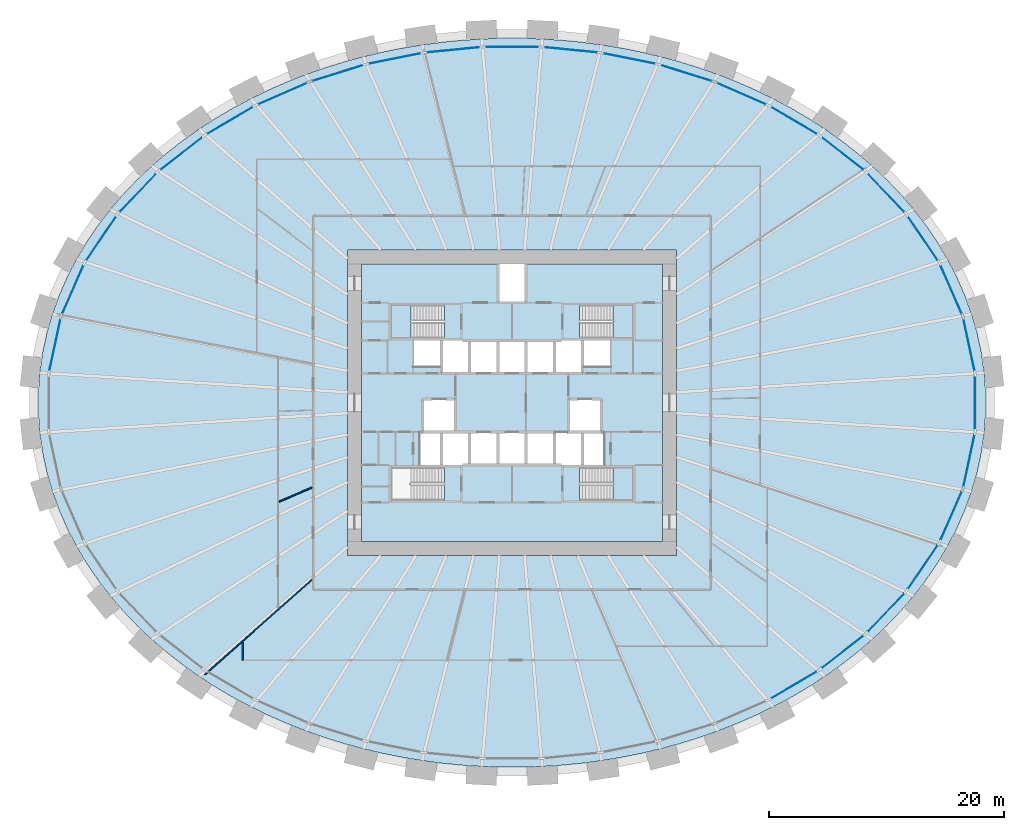
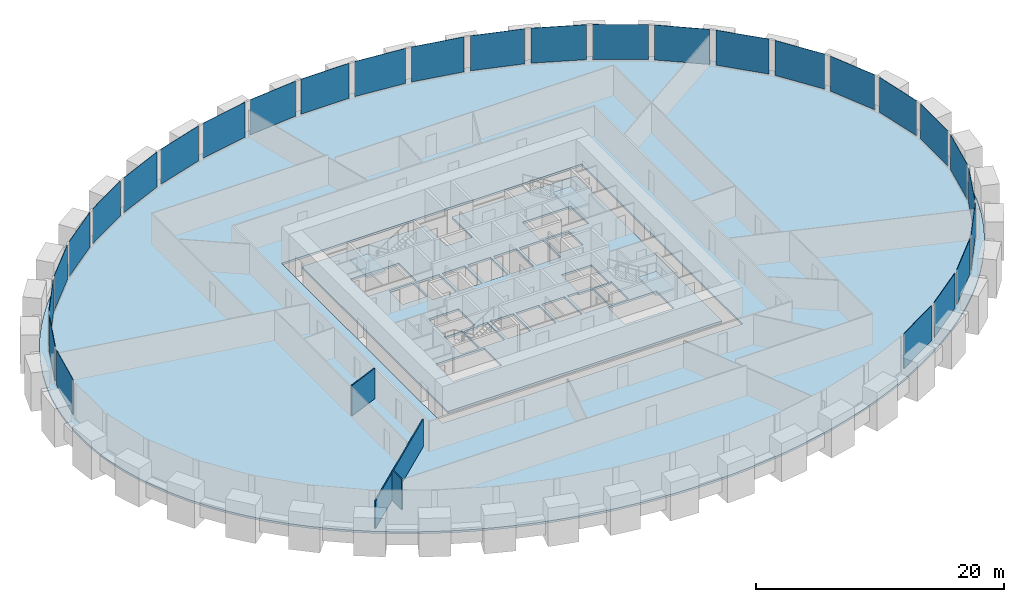
# One storey, part 5 of 10: 28 plates, 5 slabs, 3 walls, 4 elements without a shape of their own.
"""IFC4 building model written with IfcOpenShell, lengths in metres."""

from ifc_helpers import new_model, si_unit, direction, frame, frame_2d, origin, origin_2d, place, context, subcontext, project, spatial, polyline, rectangle, outline, extrude, source, transform, mapped, material, layer, layer_set, type_object, element, aggregate, save


model = new_model("IFC4")

# Units and contexts
model_context = context("Model", 3, precision=1e-05, world=origin(), true_north=direction((0.0, 1.0)))
body_context = subcontext(model_context, "Body", "Model", "MODEL_VIEW")
ifc_project = project(units=[si_unit("LENGTHUNIT", "METRE"), si_unit("AREAUNIT", "SQUARE_METRE"), si_unit("VOLUMEUNIT", "CUBIC_METRE"), si_unit("PLANEANGLEUNIT", "RADIAN"), si_unit("MASSUNIT", "GRAM", prefix="KILO")], contexts=[model_context])

# Site, building, storey
site_placement = place(None, origin())
site = spatial("IfcSite", under=ifc_project, at=site_placement, CompositionType="ELEMENT")
building_placement = place(site_placement, origin())
building = spatial("IfcBuilding", under=site, at=building_placement, Name="Embergate Tower", CompositionType="ELEMENT")
storey_placement = place(building_placement, frame((0.0, 0.0, 97.10009765625)))
storey = spatial("IfcBuildingStorey", under=building, at=storey_placement, Name="L20", CompositionType="ELEMENT", Elevation=97.10009765625)

# Slab
ifc_material_1 = material(Name="Concrete C40", Category="concrete")
ifc_layer_1 = layer(ifc_material_1, 0.199951171875)
ifc_layer_set_1 = layer_set([ifc_layer_1], Name="Concrete C40")
slab_type_1 = type_object("IfcSlabType", Name="Composite floor slab C40 200", PredefinedType="FLOOR", material=ifc_layer_set_1)
shared_shape_1 = source(origin(), body_context, "Body", "SweptSolid", [
    extrude(outline(polyline([(0.0, 0.0), (1.7041015625, 0.0), (3.406982421875, 0.054931640625), (5.111083984375, 0.1669921875), (6.80810546875, 0.3330078125), (8.4931640625, 0.554931640625), (10.18115234375, 0.8349609375), (11.85302734375, 1.169921875), (13.504150390625, 1.559814453125), (15.157958984375, 2.011962890625), (16.78515625, 2.518798828125), (18.383056640625, 3.079833984375), (19.98193359375, 3.7080078125), (21.5439453125, 4.390869140625), (23.06396484375, 5.126953125), (24.5830078125, 5.93798828125), (26.052978515625, 6.802001953125), (27.468994140625, 7.7158203125), (28.875, 8.71484375), (30.218017578125, 9.762939453125), (31.49609375, 10.85888671875), (32.7490234375, 12.0458984375), (33.925048828125, 13.27880859375), (35.02001953125, 14.555908203125), (36.071044921875, 15.9248046875), (37.029052734375, 17.3330078125), (37.89208984375, 18.77783203125), (38.68212890625, 20.306884765625), (39.365966796875, 21.866943359375), (39.942138671875, 23.452880859375), (40.4169921875, 25.099853515625), (40.775146484375, 26.763916015625), (41.01513671875, 28.44189453125), (41.136962890625, 30.141845703125), (41.136962890625, 31.843994140625), (41.01513671875, 33.5439453125), (40.775146484375, 35.221923828125), (40.4169921875, 36.885986328125), (39.942138671875, 38.532958984375), (39.365966796875, 40.118896484375), (38.68212890625, 41.678955078125), (37.89208984375, 43.2080078125), (37.029052734375, 44.65283203125), (36.071044921875, 46.06103515625), (35.02001953125, 47.429931640625), (33.925048828125, 48.70703125), (32.7490234375, 49.93994140625), (31.49609375, 51.126953125), (30.218017578125, 52.222900390625), (28.875, 53.27099609375), (27.468994140625, 54.27001953125), (26.052978515625, 55.183837890625), (24.5830078125, 56.0478515625), (23.06396484375, 56.85888671875), (21.5439453125, 57.594970703125), (19.98193359375, 58.27783203125), (18.383056640625, 58.906005859375), (16.78515625, 59.467041015625), (15.157958984375, 59.973876953125), (13.504150390625, 60.426025390625), (11.85302734375, 60.81591796875), (10.18115234375, 61.15087890625), (8.4931640625, 61.430908203125), (6.80810546875, 61.65283203125), (5.111083984375, 61.81884765625), (3.406982421875, 61.930908203125), (1.7041015625, 61.98583984375), (0.0, 61.98583984375), (-1.702880859375, 61.930908203125), (-3.406982421875, 61.81884765625), (-5.10400390625, 61.65283203125), (-6.7890625, 61.430908203125), (-8.47705078125, 61.15087890625), (-10.14892578125, 60.81591796875), (-11.800048828125, 60.426025390625), (-13.453857421875, 59.973876953125), (-15.0810546875, 59.467041015625), (-16.678955078125, 58.906005859375), (-18.27783203125, 58.27783203125), (-19.83984375, 57.594970703125), (-21.35986328125, 56.85888671875), (-22.87890625, 56.0478515625), (-24.348876953125, 55.183837890625), (-25.764892578125, 54.27001953125), (-27.1708984375, 53.27099609375), (-28.513916015625, 52.222900390625), (-29.7919921875, 51.126953125), (-31.044921875, 49.93994140625), (-32.220947265625, 48.70703125), (-33.31591796875, 47.429931640625), (-34.366943359375, 46.06103515625), (-35.324951171875, 44.65283203125), (-36.18798828125, 43.2080078125), (-36.97802734375, 41.678955078125), (-37.661865234375, 40.118896484375), (-38.238037109375, 38.532958984375), (-38.712890625, 36.885986328125), (-39.071044921875, 35.221923828125), (-39.31103515625, 33.5439453125), (-39.432861328125, 31.843994140625), (-39.432861328125, 30.141845703125), (-39.31103515625, 28.44189453125), (-39.071044921875, 26.763916015625), (-38.712890625, 25.099853515625), (-38.238037109375, 23.452880859375), (-37.661865234375, 21.866943359375), (-36.97802734375, 20.306884765625), (-36.18798828125, 18.77783203125), (-35.324951171875, 17.3330078125), (-34.366943359375, 15.9248046875), (-33.31591796875, 14.555908203125), (-32.220947265625, 13.27880859375), (-31.044921875, 12.0458984375), (-29.7919921875, 10.85888671875), (-28.513916015625, 9.762939453125), (-27.1708984375, 8.71484375), (-25.764892578125, 7.7158203125), (-24.348876953125, 6.802001953125), (-22.87890625, 5.93798828125), (-21.35986328125, 5.126953125), (-19.83984375, 4.390869140625), (-18.27783203125, 3.7080078125), (-16.678955078125, 3.079833984375), (-15.0810546875, 2.518798828125), (-13.453857421875, 2.011962890625), (-11.800048828125, 1.559814453125), (-10.14892578125, 1.169921875), (-8.47705078125, 0.8349609375), (-6.7890625, 0.554931640625), (-5.10400390625, 0.3330078125), (-3.406982421875, 0.1669921875), (-1.702880859375, 0.054931640625), (0.0, 0.0)]), holes=[polyline([(-13.14794921875, 17.992919921875), (-13.14794921875, 43.992919921875), (14.85205078125, 43.992919921875), (14.85205078125, 17.992919921875), (-13.14794921875, 17.992919921875)])]), origin(), (0.0, 0.0, 1.0), 0.2001953125),
])
slab_1_placement = place(storey_placement, frame((-0.85205078125, -30.992919921875, -0.2001953125)))
element("IfcSlab", 1, at=slab_1_placement, inside=storey, type_object=slab_type_1, Name="SLB-L20-00", PredefinedType="FLOOR", context=body_context, shape_type="MappedRepresentation", body=[
    mapped(shared_shape_1, transform((0.0, 0.0, 0.0))),
])

# Curtain wall, plates
ifc_material_2 = material(Name="Aluminium and glass", Category="aluminium")
curtain_wall_type = type_object("IfcCurtainWallType", Name="Recessed office glazing", PredefinedType="NOTDEFINED", material=ifc_material_2)
curtain_wall_placement = place(storey_placement, origin())
curtain_wall = element("IfcCurtainWall", 2, at=curtain_wall_placement, inside=storey, type_object=curtain_wall_type, Name="Recessed office glazing ring", ObjectType="RECESSED OFFICE GLAZING", PredefinedType="USERDEFINED")
ifc_material_3 = material(Name="Triple glazing, low-emissivity coating", Category="glass")
ifc_layer_2 = layer(ifc_material_3, 0.035888671875)
ifc_layer_set_2 = layer_set([ifc_layer_2], Name="Triple glazing, low-emissivity coating")
plate_type = type_object("IfcPlateType", Name="Office glazing unit", PredefinedType="CURTAIN_PANEL", material=ifc_layer_set_2)
shared_shape_2 = source(origin(), body_context, "Body", "SweptSolid", [
    extrude(rectangle(XDim=4.453857421875, YDim=0.035888671875, at=origin_2d()), origin(), (0.0, 0.0, 1.0), 3.449951171875),
])
plate_1_placement = place(storey_placement, frame((38.87060546875, 4.916748046875, 0.14990234375), z_axis=(0.0, 0.0, 1.0), x_axis=(-0.210391566126, 0.977617199574, 0.0)))
plate_1 = element("IfcPlate", 3, at=plate_1_placement, type_object=plate_type, Name="CW panel 1.1", PredefinedType="CURTAIN_PANEL", context=body_context, shape_type="MappedRepresentation", body=[
    mapped(shared_shape_2, transform((0.0, 0.0, 0.0))),
])
plate_2_placement = place(storey_placement, frame((-38.87060546875, 4.916748046875, 0.14990234375), z_axis=(0.0, 0.0, 1.0), x_axis=(-0.210391566126, -0.977617199574, 0.0)))
plate_2 = element("IfcPlate", 4, at=plate_2_placement, type_object=plate_type, Name="CW panel 21.1", PredefinedType="CURTAIN_PANEL", context=body_context, shape_type="MappedRepresentation", body=[
    mapped(shared_shape_2, transform((0.0, 0.0, 0.0))),
])
plate_3_placement = place(storey_placement, frame((38.87060546875, -4.916748046875, 0.14990234375), z_axis=(0.0, 0.0, 1.0), x_axis=(0.210391566126, 0.977617199574, 0.0)))
plate_3 = element("IfcPlate", 5, at=plate_3_placement, type_object=plate_type, Name="CW panel 43.1", PredefinedType="CURTAIN_PANEL", context=body_context, shape_type="MappedRepresentation", body=[
    mapped(shared_shape_2, transform((0.0, 0.0, 0.0))),
])
shared_shape_3 = source(origin(), body_context, "Body", "SweptSolid", [
    extrude(rectangle(XDim=4.460693359375, YDim=0.035888671875, at=origin_2d()), origin(), (0.0, 0.0, 1.0), 3.449951171875),
])
plate_4_placement = place(storey_placement, frame((37.34716796875, 9.628662109375, 0.14990234375), z_axis=(0.0, 0.0, 1.0), x_axis=(-0.401644109346, 0.915795833921, 0.0)))
plate_4 = element("IfcPlate", 6, at=plate_4_placement, type_object=plate_type, Name="CW panel 2.1", PredefinedType="CURTAIN_PANEL", context=body_context, shape_type="MappedRepresentation", body=[
    mapped(shared_shape_3, transform((0.0, 0.0, 0.0))),
])
plate_5_placement = place(storey_placement, frame((-37.34716796875, 9.628662109375, 0.14990234375), z_axis=(0.0, 0.0, 1.0), x_axis=(-0.401644109346, -0.915795833921, 0.0)))
plate_5 = element("IfcPlate", 7, at=plate_5_placement, type_object=plate_type, Name="CW panel 20.1", PredefinedType="CURTAIN_PANEL", context=body_context, shape_type="MappedRepresentation", body=[
    mapped(shared_shape_3, transform((0.0, 0.0, 0.0))),
])
plate_6_placement = place(storey_placement, frame((37.34716796875, -9.628662109375, 0.14990234375), z_axis=(0.0, 0.0, 1.0), x_axis=(0.401644109346, 0.915795833921, 0.0)))
plate_6 = element("IfcPlate", 8, at=plate_6_placement, type_object=plate_type, Name="CW panel 42.1", PredefinedType="CURTAIN_PANEL", context=body_context, shape_type="MappedRepresentation", body=[
    mapped(shared_shape_3, transform((0.0, 0.0, 0.0))),
])
shared_shape_4 = source(origin(), body_context, "Body", "SweptSolid", [
    extrude(rectangle(XDim=4.4697265625, YDim=0.035888671875, at=origin_2d()), origin(), (0.0, 0.0, 1.0), 3.449951171875),
])
plate_7_placement = place(storey_placement, frame((34.94384765625, 13.972412109375, 0.14990234375), z_axis=(0.0, 0.0, 1.0), x_axis=(-0.562331639324, 0.826911801473, 0.0)))
plate_7 = element("IfcPlate", 9, at=plate_7_placement, type_object=plate_type, Name="CW panel 3.1", PredefinedType="CURTAIN_PANEL", context=body_context, shape_type="MappedRepresentation", body=[
    mapped(shared_shape_4, transform((0.0, 0.0, 0.0))),
])
plate_8_placement = place(storey_placement, frame((-34.94384765625, 13.972412109375, 0.14990234375), z_axis=(0.0, 0.0, 1.0), x_axis=(-0.562331639324, -0.826911801473, 0.0)))
plate_8 = element("IfcPlate", 10, at=plate_8_placement, type_object=plate_type, Name="CW panel 19.1", PredefinedType="CURTAIN_PANEL", context=body_context, shape_type="MappedRepresentation", body=[
    mapped(shared_shape_4, transform((0.0, 0.0, 0.0))),
])
plate_9_placement = place(storey_placement, frame((34.94384765625, -13.972412109375, 0.14990234375), z_axis=(0.0, 0.0, 1.0), x_axis=(0.562331639324, 0.826911801473, 0.0)))
plate_9 = element("IfcPlate", 11, at=plate_9_placement, type_object=plate_type, Name="CW panel 41.1", PredefinedType="CURTAIN_PANEL", context=body_context, shape_type="MappedRepresentation", body=[
    mapped(shared_shape_4, transform((0.0, 0.0, 0.0))),
])
shared_shape_5 = source(origin(), body_context, "Body", "SweptSolid", [
    extrude(rectangle(XDim=4.478515625, YDim=0.035888671875, at=origin_2d()), origin(), (0.0, 0.0, 1.0), 3.449951171875),
])
plate_10_placement = place(storey_placement, frame((31.816162109375, 17.84423828125, 0.14990234375), z_axis=(0.0, 0.0, 1.0), x_axis=(-0.690124942972, 0.723690239735, 0.0)))
plate_10 = element("IfcPlate", 12, at=plate_10_placement, type_object=plate_type, Name="CW panel 4.1", PredefinedType="CURTAIN_PANEL", context=body_context, shape_type="MappedRepresentation", body=[
    mapped(shared_shape_5, transform((0.0, 0.0, 0.0))),
])
plate_11_placement = place(storey_placement, frame((-31.816162109375, 17.84423828125, 0.14990234375), z_axis=(0.0, 0.0, 1.0), x_axis=(-0.690124942972, -0.723690239735, 0.0)))
plate_11 = element("IfcPlate", 13, at=plate_11_placement, type_object=plate_type, Name="CW panel 18.1", PredefinedType="CURTAIN_PANEL", context=body_context, shape_type="MappedRepresentation", body=[
    mapped(shared_shape_5, transform((0.0, 0.0, 0.0))),
])
plate_12_placement = place(storey_placement, frame((31.816162109375, -17.84423828125, 0.14990234375), z_axis=(0.0, 0.0, 1.0), x_axis=(0.690124942972, 0.723690239735, 0.0)))
plate_12 = element("IfcPlate", 14, at=plate_12_placement, type_object=plate_type, Name="CW panel 40.1", PredefinedType="CURTAIN_PANEL", context=body_context, shape_type="MappedRepresentation", body=[
    mapped(shared_shape_5, transform((0.0, 0.0, 0.0))),
])
shared_shape_6 = source(origin(), body_context, "Body", "SweptSolid", [
    extrude(rectangle(XDim=4.486083984375, YDim=0.035888671875, at=origin_2d()), origin(), (0.0, 0.0, 1.0), 3.449951171875),
])
plate_13_placement = place(storey_placement, frame((28.1181640625, 21.19287109375, 0.14990234375), z_axis=(0.0, 0.0, 1.0), x_axis=(-0.788312602312, 0.615274931259, 0.0)))
plate_13 = element("IfcPlate", 15, at=plate_13_placement, type_object=plate_type, Name="CW panel 5.1", PredefinedType="CURTAIN_PANEL", context=body_context, shape_type="MappedRepresentation", body=[
    mapped(shared_shape_6, transform((0.0, 0.0, 0.0))),
])
plate_14_placement = place(storey_placement, frame((-28.1181640625, 21.19287109375, 0.14990234375), z_axis=(0.0, 0.0, 1.0), x_axis=(-0.788312602312, -0.615274931259, 0.0)))
plate_14 = element("IfcPlate", 16, at=plate_14_placement, type_object=plate_type, Name="CW panel 17.1", PredefinedType="CURTAIN_PANEL", context=body_context, shape_type="MappedRepresentation", body=[
    mapped(shared_shape_6, transform((0.0, 0.0, 0.0))),
])
plate_15_placement = place(storey_placement, frame((28.1181640625, -21.19287109375, 0.14990234375), z_axis=(0.0, 0.0, 1.0), x_axis=(0.788312602312, 0.615274931259, 0.0)))
plate_15 = element("IfcPlate", 17, at=plate_15_placement, type_object=plate_type, Name="CW panel 39.1", PredefinedType="CURTAIN_PANEL", context=body_context, shape_type="MappedRepresentation", body=[
    mapped(shared_shape_6, transform((0.0, 0.0, 0.0))),
])
shared_shape_7 = source(origin(), body_context, "Body", "SweptSolid", [
    extrude(rectangle(XDim=4.491943359375, YDim=0.035888671875, at=origin_2d()), origin(), (0.0, 0.0, 1.0), 3.449951171875),
])
plate_16_placement = place(storey_placement, frame((23.98486328125, 24.0029296875, 0.14990234375), z_axis=(0.0, 0.0, 1.0), x_axis=(-0.86204786038, 0.506826880122, 0.0)))
plate_16 = element("IfcPlate", 18, at=plate_16_placement, type_object=plate_type, Name="CW panel 6.1", PredefinedType="CURTAIN_PANEL", context=body_context, shape_type="MappedRepresentation", body=[
    mapped(shared_shape_7, transform((0.0, 0.0, 0.0))),
])
plate_17_placement = place(storey_placement, frame((-23.98486328125, 24.0029296875, 0.14990234375), z_axis=(0.0, 0.0, 1.0), x_axis=(-0.86204786038, -0.506826880122, 0.0)))
plate_17 = element("IfcPlate", 19, at=plate_17_placement, type_object=plate_type, Name="CW panel 16.1", PredefinedType="CURTAIN_PANEL", context=body_context, shape_type="MappedRepresentation", body=[
    mapped(shared_shape_7, transform((0.0, 0.0, 0.0))),
])
plate_18_placement = place(storey_placement, frame((23.98486328125, -24.0029296875, 0.14990234375), z_axis=(0.0, 0.0, 1.0), x_axis=(0.86204786038, 0.506826880122, 0.0)))
plate_18 = element("IfcPlate", 20, at=plate_18_placement, type_object=plate_type, Name="CW panel 38.1", PredefinedType="CURTAIN_PANEL", context=body_context, shape_type="MappedRepresentation", body=[
    mapped(shared_shape_7, transform((0.0, 0.0, 0.0))),
])
shared_shape_8 = source(origin(), body_context, "Body", "SweptSolid", [
    extrude(rectangle(XDim=4.49658203125, YDim=0.035888671875, at=origin_2d()), origin(), (0.0, 0.0, 1.0), 3.449951171875),
])
plate_19_placement = place(storey_placement, frame((19.5263671875, 26.278076171875, 0.14990234375), z_axis=(0.0, 0.0, 1.0), x_axis=(-0.916232715476, 0.400646491426, 0.0)))
plate_19 = element("IfcPlate", 21, at=plate_19_placement, type_object=plate_type, Name="CW panel 7.1", PredefinedType="CURTAIN_PANEL", context=body_context, shape_type="MappedRepresentation", body=[
    mapped(shared_shape_8, transform((0.0, 0.0, 0.0))),
])
plate_20_placement = place(storey_placement, frame((-19.5263671875, 26.278076171875, 0.14990234375), z_axis=(0.0, 0.0, 1.0), x_axis=(-0.916232715476, -0.400646491426, 0.0)))
plate_20 = element("IfcPlate", 22, at=plate_20_placement, type_object=plate_type, Name="CW panel 15.1", PredefinedType="CURTAIN_PANEL", context=body_context, shape_type="MappedRepresentation", body=[
    mapped(shared_shape_8, transform((0.0, 0.0, 0.0))),
])
shared_shape_9 = source(origin(), body_context, "Body", "SweptSolid", [
    extrude(rectangle(XDim=4.5, YDim=0.035888671875, at=origin_2d()), origin(), (0.0, 0.0, 1.0), 3.449951171875),
])
plate_21_placement = place(storey_placement, frame((14.831787109375, 28.029296875, 0.14990234375), z_axis=(0.0, 0.0, 1.0), x_axis=(-0.954770141339, 0.297344879236, 0.0)))
plate_21 = element("IfcPlate", 23, at=plate_21_placement, type_object=plate_type, Name="CW panel 8.1", PredefinedType="CURTAIN_PANEL", context=body_context, shape_type="MappedRepresentation", body=[
    mapped(shared_shape_9, transform((0.0, 0.0, 0.0))),
])
plate_22_placement = place(storey_placement, frame((-14.831787109375, 28.029296875, 0.14990234375), z_axis=(0.0, 0.0, 1.0), x_axis=(-0.954770141339, -0.297344879236, 0.0)))
plate_22 = element("IfcPlate", 24, at=plate_22_placement, type_object=plate_type, Name="CW panel 14.1", PredefinedType="CURTAIN_PANEL", context=body_context, shape_type="MappedRepresentation", body=[
    mapped(shared_shape_9, transform((0.0, 0.0, 0.0))),
])
shared_shape_10 = source(origin(), body_context, "Body", "SweptSolid", [
    extrude(rectangle(XDim=4.502197265625, YDim=0.035888671875, at=origin_2d()), origin(), (0.0, 0.0, 1.0), 3.449951171875),
])
plate_23_placement = place(storey_placement, frame((9.97314453125, 29.269287109375, 0.14990234375), z_axis=(0.0, 0.0, 1.0), x_axis=(-0.980474877795, 0.196644384646, 0.0)))
plate_23 = element("IfcPlate", 25, at=plate_23_placement, type_object=plate_type, Name="CW panel 9.1", PredefinedType="CURTAIN_PANEL", context=body_context, shape_type="MappedRepresentation", body=[
    mapped(shared_shape_10, transform((0.0, 0.0, 0.0))),
])
plate_24_placement = place(storey_placement, frame((-9.97314453125, 29.269287109375, 0.14990234375), z_axis=(0.0, 0.0, 1.0), x_axis=(-0.980474877795, -0.196644384646, 0.0)))
plate_24 = element("IfcPlate", 26, at=plate_24_placement, type_object=plate_type, Name="CW panel 13.1", PredefinedType="CURTAIN_PANEL", context=body_context, shape_type="MappedRepresentation", body=[
    mapped(shared_shape_10, transform((0.0, 0.0, 0.0))),
])
shared_shape_11 = source(origin(), body_context, "Body", "SweptSolid", [
    extrude(rectangle(XDim=4.50341796875, YDim=0.035888671875, at=origin_2d()), origin(), (0.0, 0.0, 1.0), 3.449951171875),
])
plate_25_placement = place(storey_placement, frame((5.01171875, 30.009033203125, 0.14990234375), z_axis=(0.0, 0.0, 1.0), x_axis=(-0.995203014042, 0.097831287645, 0.0)))
plate_25 = element("IfcPlate", 27, at=plate_25_placement, type_object=plate_type, Name="CW panel 10.1", PredefinedType="CURTAIN_PANEL", context=body_context, shape_type="MappedRepresentation", body=[
    mapped(shared_shape_11, transform((0.0, 0.0, 0.0))),
])
plate_26_placement = place(storey_placement, frame((-5.01171875, 30.009033203125, 0.14990234375), z_axis=(0.0, 0.0, 1.0), x_axis=(-0.995203014042, -0.097831287645, 0.0)))
plate_26 = element("IfcPlate", 28, at=plate_26_placement, type_object=plate_type, Name="CW panel 12.1", PredefinedType="CURTAIN_PANEL", context=body_context, shape_type="MappedRepresentation", body=[
    mapped(shared_shape_11, transform((0.0, 0.0, 0.0))),
])
shared_shape_12 = source(origin(), body_context, "Body", "SweptSolid", [
    extrude(rectangle(XDim=4.50390625, YDim=0.035888671875, at=origin_2d()), origin(), (0.0, 0.0, 1.0), 3.449951171875),
])
plate_27_placement = place(storey_placement, frame((0.0, 30.254638671875, 0.14990234375), z_axis=(0.0, 0.0, 1.0), x_axis=(-1.0, 0.0, 0.0)))
plate_27 = element("IfcPlate", 29, at=plate_27_placement, type_object=plate_type, Name="CW panel 11.1", PredefinedType="CURTAIN_PANEL", context=body_context, shape_type="MappedRepresentation", body=[
    mapped(shared_shape_12, transform((0.0, 0.0, 0.0))),
])
shared_shape_13 = source(origin(), body_context, "Body", "SweptSolid", [
    extrude(rectangle(XDim=4.451171875, YDim=0.035888671875, at=origin_2d()), origin(), (0.0, 0.0, 1.0), 3.449951171875),
])
plate_28_placement = place(storey_placement, frame((39.393798828125, 0.0, 0.14990234375), z_axis=(0.0, 0.0, 1.0), x_axis=(0.0, 1.0, 0.0)))
plate_28 = element("IfcPlate", 30, at=plate_28_placement, type_object=plate_type, Name="CW panel 44.1", PredefinedType="CURTAIN_PANEL", context=body_context, shape_type="MappedRepresentation", body=[
    mapped(shared_shape_13, transform((0.0, 0.0, 0.0))),
])
aggregate(curtain_wall, [plate_1, plate_4, plate_7, plate_10, plate_13, plate_16, plate_19, plate_21, plate_23, plate_25, plate_27, plate_26, plate_24, plate_22, plate_20, plate_17, plate_14, plate_11, plate_8, plate_5, plate_2, plate_18, plate_15, plate_12, plate_9, plate_6, plate_3, plate_28])

# Stair, slab
ifc_material_4 = material(Name="Exit stair")
stair_type = type_object("IfcStairType", Name="Exit stair", PredefinedType="HALF_TURN_STAIR", material=ifc_material_4)
stair_1_placement = place(storey_placement, origin())
stair_1 = element("IfcStair", 31, at=stair_1_placement, inside=storey, type_object=stair_type, Name="L20 Exit stair 1", PredefinedType="HALF_TURN_STAIR")
ifc_layer_3 = layer(ifc_material_1, 0.199951171875)
ifc_layer_set_3 = layer_set([ifc_layer_3], Name="Concrete C40")
slab_type_2 = type_object("IfcSlabType", Name="Stair landing reinforced concrete", PredefinedType="LANDING", material=ifc_layer_set_3)
shared_shape_14 = source(origin(), body_context, "Body", "SweptSolid", [
    extrude(outline(polyline([(0.0, 0.0), (1.68994140625, 0.0), (1.68994140625, 2.800048828125), (0.0, 2.800048828125), (0.0, 0.0)])), origin(), (0.0, 0.0, 1.0), 0.199951171875),
])
slab_2_placement = place(storey_placement, frame((-10.300048828125, 5.5, 1.75)))
slab_2 = element("IfcSlab", 32, at=slab_2_placement, type_object=slab_type_2, Name="ST1 landing 1", PredefinedType="LANDING", context=body_context, shape_type="MappedRepresentation", body=[
    mapped(shared_shape_14, transform((0.0, 0.0, 0.0))),
])
aggregate(stair_1, [slab_2])

stair_2_placement = place(storey_placement, origin())
stair_2 = element("IfcStair", 33, at=stair_2_placement, inside=storey, type_object=stair_type, Name="L20 Exit stair 2", PredefinedType="HALF_TURN_STAIR")
slab_3_placement = place(storey_placement, frame((8.610107421875, 5.5, 1.75)))
slab_3 = element("IfcSlab", 34, at=slab_3_placement, type_object=slab_type_2, Name="ST2 landing 1", PredefinedType="LANDING", context=body_context, shape_type="MappedRepresentation", body=[
    mapped(shared_shape_14, transform((0.0, 0.0, 0.0))),
])
aggregate(stair_2, [slab_3])

stair_3_placement = place(storey_placement, origin())
stair_3 = element("IfcStair", 35, at=stair_3_placement, inside=storey, type_object=stair_type, Name="L20 Exit stair 4", PredefinedType="HALF_TURN_STAIR")
slab_4_placement = place(storey_placement, frame((8.610107421875, -8.300048828125, 1.75)))
slab_4 = element("IfcSlab", 36, at=slab_4_placement, type_object=slab_type_2, Name="ST4 landing 1", PredefinedType="LANDING", context=body_context, shape_type="MappedRepresentation", body=[
    mapped(shared_shape_14, transform((0.0, 0.0, 0.0))),
])
aggregate(stair_3, [slab_4])

# Slab
ifc_layer_4 = layer(ifc_material_1, 0.199951171875)
ifc_layer_set_4 = layer_set([ifc_layer_4], Name="Concrete C40")
slab_type_3 = type_object("IfcSlabType", Name="Core floor slab 200 reinforced concrete", PredefinedType="FLOOR", material=ifc_layer_set_4)
shared_shape_15 = source(origin(), body_context, "Body", "SweptSolid", [
    extrude(outline(polyline([(0.0, 0.0), (25.60009765625, 0.0), (25.60009765625, 23.60009765625), (14.0, 23.60009765625), (14.0, 20.300048828125), (11.60009765625, 20.300048828125), (11.60009765625, 23.60009765625), (0.0, 23.60009765625), (0.0, 0.0)]), holes=[polyline([(2.5, 3.5), (2.5, 6.300048828125), (7.0400390625, 6.300048828125), (7.0400390625, 3.5), (2.5, 3.5)]), polyline([(18.56005859375, 3.5), (18.56005859375, 6.300048828125), (23.10009765625, 6.300048828125), (23.10009765625, 3.5), (18.56005859375, 3.5)]), polyline([(5.0, 6.5), (5.0, 9.300048828125), (5.074951171875, 9.300048828125), (5.074951171875, 9.175048828125), (6.675048828125, 9.175048828125), (6.675048828125, 6.5), (5.0, 6.5)]), polyline([(6.800048828125, 6.5), (6.800048828125, 9.175048828125), (8.125, 9.175048828125), (8.125, 9.300048828125), (9.074951171875, 9.300048828125), (9.074951171875, 6.5), (6.800048828125, 6.5)]), polyline([(9.324951171875, 6.5), (9.324951171875, 9.300048828125), (11.47509765625, 9.300048828125), (11.47509765625, 6.5), (9.324951171875, 6.5)]), polyline([(11.72509765625, 6.5), (11.72509765625, 9.300048828125), (13.875, 9.300048828125), (13.875, 6.5), (11.72509765625, 6.5)]), polyline([(14.125, 6.5), (14.125, 9.300048828125), (16.275146484375, 9.300048828125), (16.275146484375, 6.5), (14.125, 6.5)]), polyline([(16.525146484375, 6.5), (16.525146484375, 9.300048828125), (17.47509765625, 9.300048828125), (17.47509765625, 9.175048828125), (18.800048828125, 9.175048828125), (18.800048828125, 6.5), (16.525146484375, 6.5)]), polyline([(18.925048828125, 6.5), (18.925048828125, 9.175048828125), (20.525146484375, 9.175048828125), (20.525146484375, 9.300048828125), (20.60009765625, 9.300048828125), (20.60009765625, 6.5), (18.925048828125, 6.5)]), polyline([(5.199951171875, 9.300048828125), (5.199951171875, 12.10009765625), (8.0, 12.10009765625), (8.0, 9.425048828125), (6.675048828125, 9.425048828125), (6.675048828125, 9.300048828125), (5.199951171875, 9.300048828125)]), polyline([(18.925048828125, 9.300048828125), (18.925048828125, 9.425048828125), (17.60009765625, 9.425048828125), (17.60009765625, 12.10009765625), (20.400146484375, 12.10009765625), (20.400146484375, 9.300048828125), (18.925048828125, 9.300048828125)]), polyline([(6.800048828125, 14.300048828125), (6.800048828125, 17.10009765625), (9.074951171875, 17.10009765625), (9.074951171875, 14.300048828125), (6.800048828125, 14.300048828125)]), polyline([(9.324951171875, 14.300048828125), (9.324951171875, 17.10009765625), (11.47509765625, 17.10009765625), (11.47509765625, 14.300048828125), (9.324951171875, 14.300048828125)]), polyline([(11.72509765625, 14.300048828125), (11.72509765625, 17.10009765625), (13.875, 17.10009765625), (13.875, 14.300048828125), (11.72509765625, 14.300048828125)]), polyline([(14.125, 14.300048828125), (14.125, 17.10009765625), (16.275146484375, 17.10009765625), (16.275146484375, 14.300048828125), (14.125, 14.300048828125)]), polyline([(16.525146484375, 14.300048828125), (16.525146484375, 17.10009765625), (18.800048828125, 17.10009765625), (18.800048828125, 14.300048828125), (16.525146484375, 14.300048828125)]), polyline([(4.400146484375, 14.900146484375), (4.400146484375, 17.10009765625), (6.675048828125, 17.10009765625), (6.675048828125, 14.900146484375), (4.400146484375, 14.900146484375)]), polyline([(18.925048828125, 14.900146484375), (18.925048828125, 17.10009765625), (21.199951171875, 17.10009765625), (21.199951171875, 14.900146484375), (18.925048828125, 14.900146484375)]), polyline([(2.5, 17.300048828125), (2.5, 20.10009765625), (7.0400390625, 20.10009765625), (7.0400390625, 17.300048828125), (2.5, 17.300048828125)]), polyline([(18.56005859375, 17.300048828125), (18.56005859375, 20.10009765625), (23.10009765625, 20.10009765625), (23.10009765625, 17.300048828125), (18.56005859375, 17.300048828125)])]), origin(), (0.0, 0.0, 1.0), 0.2001953125),
])
slab_5_placement = place(storey_placement, frame((-12.800048828125, -11.800048828125, -0.2001953125)))
element("IfcSlab", 37, at=slab_5_placement, inside=storey, type_object=slab_type_3, Name="Core floor slab", PredefinedType="FLOOR", context=body_context, shape_type="MappedRepresentation", body=[
    mapped(shared_shape_15, transform((0.0, 0.0, 0.0))),
])

# Walls
ifc_material_5 = material(Name="Partition dry-lined 100")
ifc_layer_5 = layer(ifc_material_5, 0.10009765625)
ifc_layer_set_5 = layer_set([ifc_layer_5], Name="Partition dry-lined 100")
wall_type_1 = type_object("IfcWallType", Name="Partition dry-lined 100", PredefinedType="PARTITIONING", material=ifc_layer_set_5)
shared_shape_16 = source(origin(), body_context, "Body", "SweptSolid", [
    extrude(rectangle(XDim=1.539794921875, YDim=0.10009765625, at=frame_2d((0.77001953125, 0.0))), origin(), (0.0, 0.0, 1.0), 3.0),
])
wall_1_placement = place(storey_placement, frame((-22.89990234375, -21.89990234375, 0.0), z_axis=(0.0, 0.0, 1.0), x_axis=(0.0, 1.0, 0.0)))
element("IfcWall", 38, at=wall_1_placement, inside=storey, type_object=wall_type_1, Name="IP-1 wall", PredefinedType="PARTITIONING", context=body_context, shape_type="MappedRepresentation", body=[
    mapped(shared_shape_16, transform((0.0, 0.0, 0.0))),
])
ifc_material_6 = material(Name="Partition dry-lined 100 wet")
ifc_layer_6 = layer(ifc_material_6, 0.10009765625)
ifc_layer_set_6 = layer_set([ifc_layer_6], Name="Partition dry-lined 100 wet")
wall_type_2 = type_object("IfcWallType", Name="Partition dry-lined 100 wet", PredefinedType="PLUMBINGWALL", material=ifc_layer_set_6)
shared_shape_17 = source(origin(), body_context, "Body", "SweptSolid", [
    extrude(rectangle(XDim=12.1845703125, YDim=0.10009765625, at=frame_2d((6.09228515625, 0.0))), origin(), (0.0, 0.0, 1.0), 2.699951171875),
])
wall_2_placement = place(storey_placement, frame((-17.008056640625, -15.0390625, 0.0), z_axis=(0.0, 0.0, 1.0), x_axis=(-0.749145699074, -0.662405254779, 0.0)))
element("IfcWall", 39, at=wall_2_placement, inside=storey, type_object=wall_type_2, Name="IP-1 wall", PredefinedType="PLUMBINGWALL", context=body_context, shape_type="MappedRepresentation", body=[
    mapped(shared_shape_17, transform((0.0, 0.0, 0.0))),
])
shared_shape_18 = source(origin(), body_context, "Body", "SweptSolid", [
    extrude(rectangle(XDim=3.08203125, YDim=0.10009765625, at=frame_2d((1.541015625, 0.0))), origin(), (0.0, 0.0, 1.0), 3.0),
])
wall_3_placement = place(storey_placement, frame((-16.993896484375, -7.216064453125, 0.0), z_axis=(0.0, 0.0, 1.0), x_axis=(-0.920556751764, -0.390608841145, 0.0)))
element("IfcWall", 40, at=wall_3_placement, inside=storey, type_object=wall_type_2, Name="IP-1 wall", PredefinedType="PLUMBINGWALL", context=body_context, shape_type="MappedRepresentation", body=[
    mapped(shared_shape_18, transform((0.0, 0.0, 0.0))),
])

save(model, "model.ifc")
